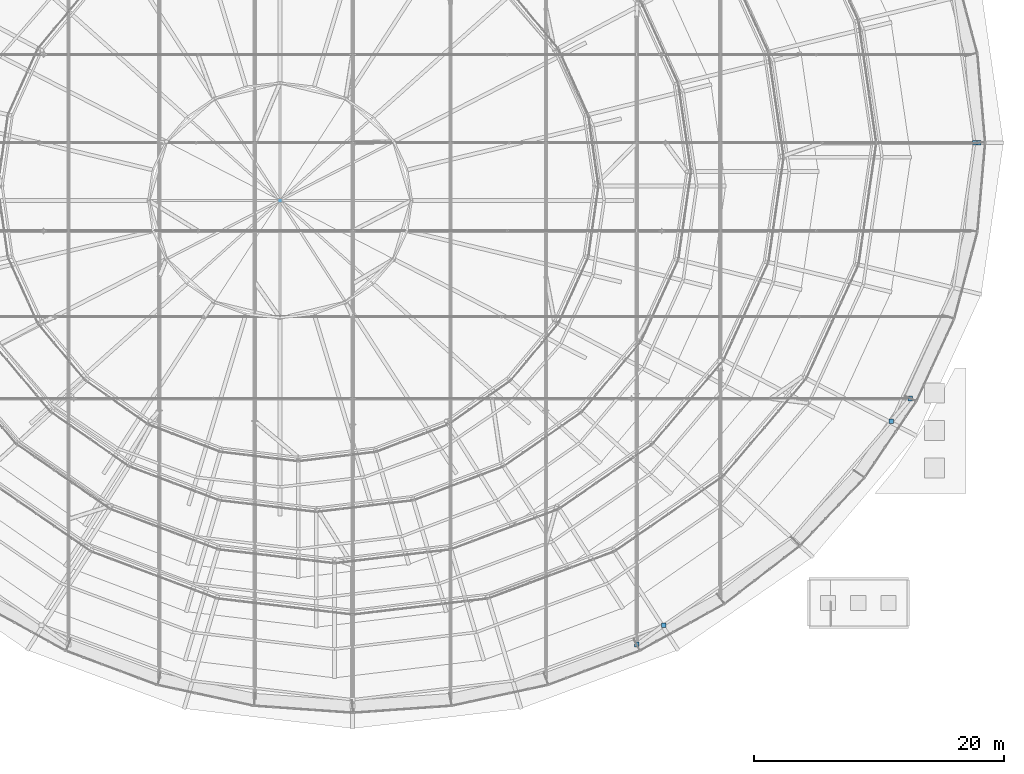
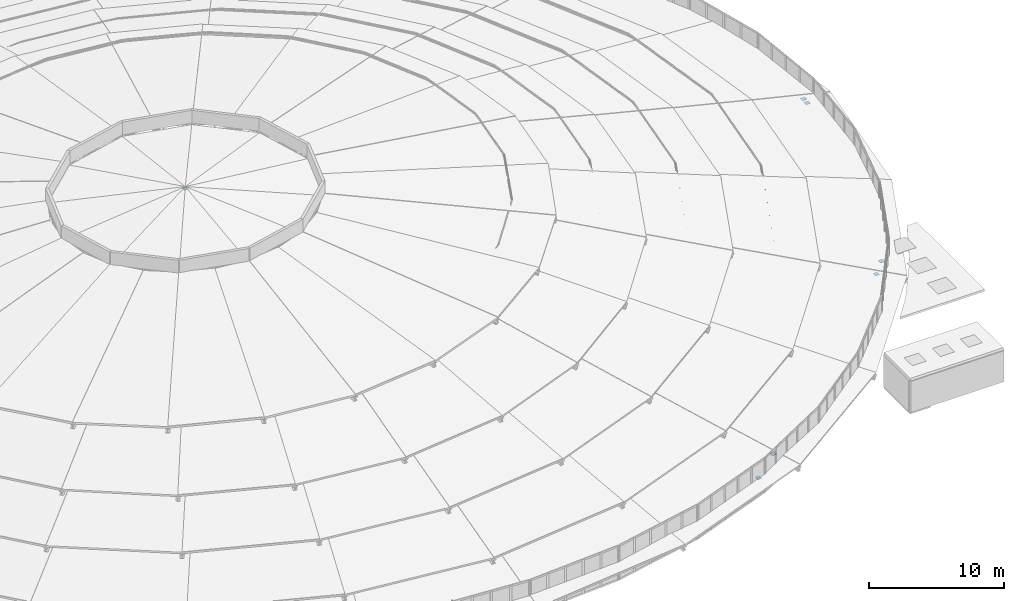
# One storey, part 170 of 173: 7 discrete accessories.
"""IFC4 building model written with IfcOpenShell, lengths in metres."""

from ifc_helpers import new_model, si_unit, direction, frame, origin, origin_2d, place, context, subcontext, project, spatial, rectangle, extrude, material, type_object, element, save


model = new_model("IFC4")

# Units and contexts
model_context = context("Model", 3, precision=1e-05, world=origin(), true_north=direction((0.0, 1.0)))
body_context = subcontext(model_context, "Body", "Model", "MODEL_VIEW")
ifc_project = project(units=[si_unit("LENGTHUNIT", "METRE"), si_unit("AREAUNIT", "SQUARE_METRE"), si_unit("VOLUMEUNIT", "CUBIC_METRE"), si_unit("PLANEANGLEUNIT", "RADIAN"), si_unit("MASSUNIT", "GRAM", prefix="KILO")], contexts=[model_context])

# Site, building, storey
site_placement = place(None, origin())
site = spatial("IfcSite", under=ifc_project, at=site_placement, CompositionType="ELEMENT")
building_placement = place(site_placement, origin())
building = spatial("IfcBuilding", under=site, at=building_placement, Name="Glasvene Arena", CompositionType="ELEMENT")
storey_placement = place(building_placement, frame((0.0, 0.0, 28.800048828125)))
storey = spatial("IfcBuildingStorey", under=building, at=storey_placement, Name="RF", CompositionType="ELEMENT", Elevation=28.800048828125)

# Discrete accessories
ifc_material = material(Name="Steel S355J2", Category="steel")
discrete_accessory_type_1 = type_object("IfcDiscreteAccessoryType", Name="ACC-BRACE-GP20", PredefinedType="BRACKET", material=ifc_material)
for number, where, z_axis, x_axis, name in (
    (1, (142.0, 73.0, -0.31396484375), (0.0, 0.0, 1.0), (1.0, 0.0, 0.0), "Petal post base connection plate 1-01"),
    (2, (141.699951171875, 73.0, 0.1533203125), (0.0, 0.0, 1.0), (1.0, 0.0, 0.0), "Petal post cap connection plate 1-01"),
    (3, (114.699462890625, 32.90478515625, -0.31396484375), (0.0, 0.0, 1.0), (1.0, 0.0, 0.0), "Petal post base connection plate 1-21"),
    (4, (116.85009765625, 34.4619140625, 0.1533203125), (0.0, 0.0, 1.0), (1.0, 0.0, 0.0), "Petal post cap connection plate 1-21"),
    (5, (136.55029296875, 52.5703125, -0.31396484375), (0.0, 0.0, 1.0), (1.0, 0.0, 0.0), "Petal post base connection plate 1-23"),
    (6, (135.04150390625, 50.75, 0.1533203125), (0.0, 0.0, 1.0), (1.0, 0.0, 0.0), "Petal post cap connection plate 1-23"),
):
    element("IfcDiscreteAccessory", number, at=place(storey_placement, frame(where, z_axis=z_axis, x_axis=x_axis)), inside=storey, type_object=discrete_accessory_type_1, Name=name, PredefinedType="BRACKET", context=body_context, shape_type="SweptSolid", body=[
        extrude(rectangle(XDim=0.3798828125, YDim=0.3798828125, at=origin_2d()), origin(), (0.0, 0.0, 1.0), 0.028076171875),
    ])
discrete_accessory_type_2 = type_object("IfcDiscreteAccessoryType", Name="ACC-CAP-SHS320", PredefinedType="USERDEFINED", material=ifc_material)
discrete_accessory_placement = place(storey_placement, frame((86.199951171875, 68.39990234375, 14.258056640625), z_axis=(0.0, 0.0, 1.0), x_axis=(1.0, 0.0, 0.0)))
element("IfcDiscreteAccessory", 7, at=discrete_accessory_placement, inside=storey, type_object=discrete_accessory_type_2, Name="Crown lantern apex hub cap plate", ObjectType="CAP PLATE", PredefinedType="USERDEFINED", context=body_context, shape_type="SweptSolid", body=[
    extrude(rectangle(XDim=0.340087890625, YDim=0.340087890625, at=origin_2d()), origin(), (0.0, 0.0, 1.0), 0.02001953125),
])

save(model, "model.ifc")
